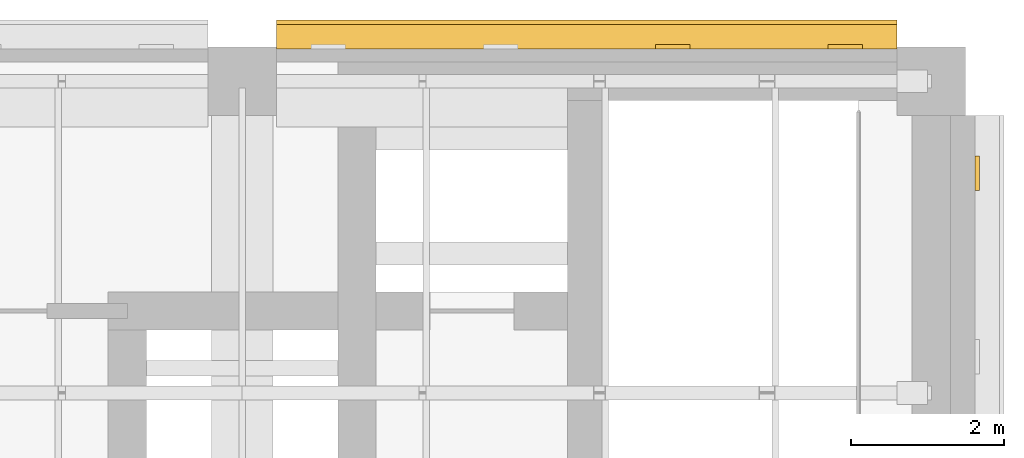
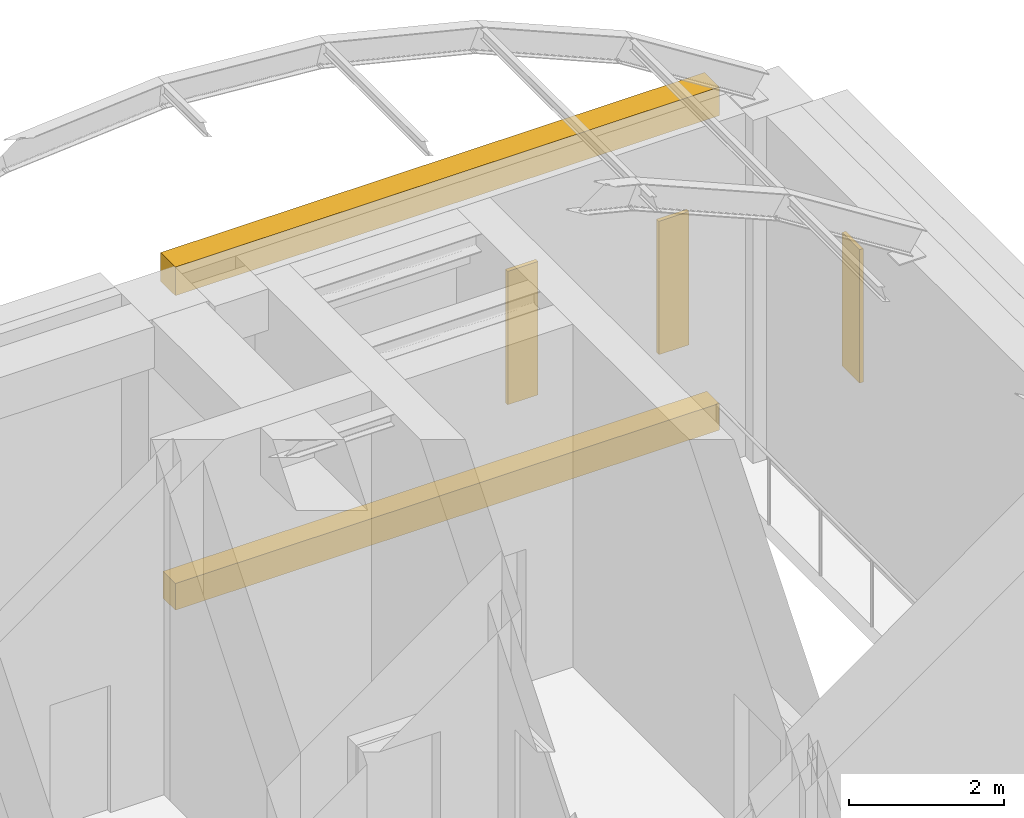
# One storey, part 37 of 39: 5 coverings.
"""IFC4 building model written with IfcOpenShell, lengths in metres."""

from ifc_helpers import new_model, si_unit, direction, frame, origin, origin_2d, place, context, subcontext, project, spatial, rectangle, extrude, material, layer, layer_set, type_object, element, save


model = new_model("IFC4")

# Units and contexts
model_context = context("Model", 3, precision=1e-05, world=origin(), true_north=direction((0.0, 1.0)))
body_context = subcontext(model_context, "Body", "Model", "MODEL_VIEW")
ifc_project = project(units=[si_unit("LENGTHUNIT", "METRE"), si_unit("AREAUNIT", "SQUARE_METRE"), si_unit("VOLUMEUNIT", "CUBIC_METRE"), si_unit("PLANEANGLEUNIT", "RADIAN"), si_unit("MASSUNIT", "GRAM", prefix="KILO")], contexts=[model_context])

# Site, building, storey
site_placement = place(None, origin())
site = spatial("IfcSite", under=ifc_project, at=site_placement, CompositionType="ELEMENT")
building_placement = place(site_placement, origin())
building = spatial("IfcBuilding", under=site, at=building_placement, Name="Aurelan Courthouse", CompositionType="ELEMENT")
storey_placement = place(building_placement, frame((0.0, 0.0, 28.199951171875)))
storey = spatial("IfcBuildingStorey", under=building, at=storey_placement, Name="L05", CompositionType="ELEMENT", Elevation=28.199951171875)

# Coverings
ifc_material_1 = material(Name="Bronze sheet cladding")
ifc_layer = layer(ifc_material_1, 0.06005859375)
ifc_layer_set = layer_set([ifc_layer], Name="Bronze sheet cladding")
covering_type_1 = type_object("IfcCoveringType", Name="Law Library blind bay 450 x 2100", PredefinedType="CLADDING", material=ifc_layer_set)
for number, where, z_axis, x_axis, name in (
    (1, (86.625, 66.449951171875, 1.5), (0.0, 0.0, 1.0), (1.0, 0.0, 0.0), "Blind bay BB-V3-L05-007"),
    (2, (88.875, 66.449951171875, 1.5), (0.0, 0.0, 1.0), (1.0, 0.0, 0.0), "Blind bay BB-V3-L05-008"),
):
    element("IfcCovering", number, at=place(storey_placement, frame(where, z_axis=z_axis, x_axis=x_axis)), inside=storey, type_object=covering_type_1, Name=name, PredefinedType="CLADDING", context=body_context, shape_type="SweptSolid", body=[
        extrude(rectangle(XDim=0.449951171875, YDim=0.06005859375, at=origin_2d()), origin(), (0.0, 0.0, 1.0), 2.10009765625),
    ])
covering_1_placement = place(storey_placement, frame((90.60009765625, 64.800048828125, 1.5), z_axis=(0.0, 0.0, 1.0), x_axis=(1.0, 0.0, 0.0)))
element("IfcCovering", 3, at=covering_1_placement, inside=storey, type_object=covering_type_1, Name="Blind bay BB-V3-L05-012", PredefinedType="CLADDING", context=body_context, shape_type="SweptSolid", body=[
    extrude(rectangle(XDim=0.06005859375, YDim=0.449951171875, at=origin_2d()), origin(), (0.0, 0.0, 1.0), 2.10009765625),
])
ifc_material_2 = material(Name="Limestone cladding", Category="masonry")
covering_type_2 = type_object("IfcCoveringType", Name="Law Library cornice 450 x 380", PredefinedType="CLADDING", material=ifc_material_2)
covering_2_placement = place(storey_placement, frame((85.5, 66.610107421875, 4.9501953125), z_axis=(0.0, 0.0, 1.0), x_axis=(1.0, 0.0, 0.0)))
element("IfcCovering", 4, at=covering_2_placement, inside=storey, type_object=covering_type_2, Name="Cornice CRN-V3-006", PredefinedType="CLADDING", context=body_context, shape_type="SweptSolid", body=[
    extrude(rectangle(XDim=8.10009765625, YDim=0.3798828125, at=origin_2d()), origin(), (0.0, 0.0, 1.0), 0.449951171875),
])
covering_type_3 = type_object("IfcCoveringType", Name="Law Library string course 420 x 320", PredefinedType="CLADDING", material=ifc_material_2)
covering_3_placement = place(storey_placement, frame((85.5, 66.580078125, 0.0), z_axis=(0.0, 0.0, 1.0), x_axis=(1.0, 0.0, 0.0)))
element("IfcCovering", 5, at=covering_3_placement, inside=storey, type_object=covering_type_3, Name="String course SC-V3-016", PredefinedType="CLADDING", context=body_context, shape_type="SweptSolid", body=[
    extrude(rectangle(XDim=8.10009765625, YDim=0.320068359375, at=origin_2d()), origin(), (0.0, 0.0, 1.0), 0.419921875),
])

save(model, "model.ifc")
